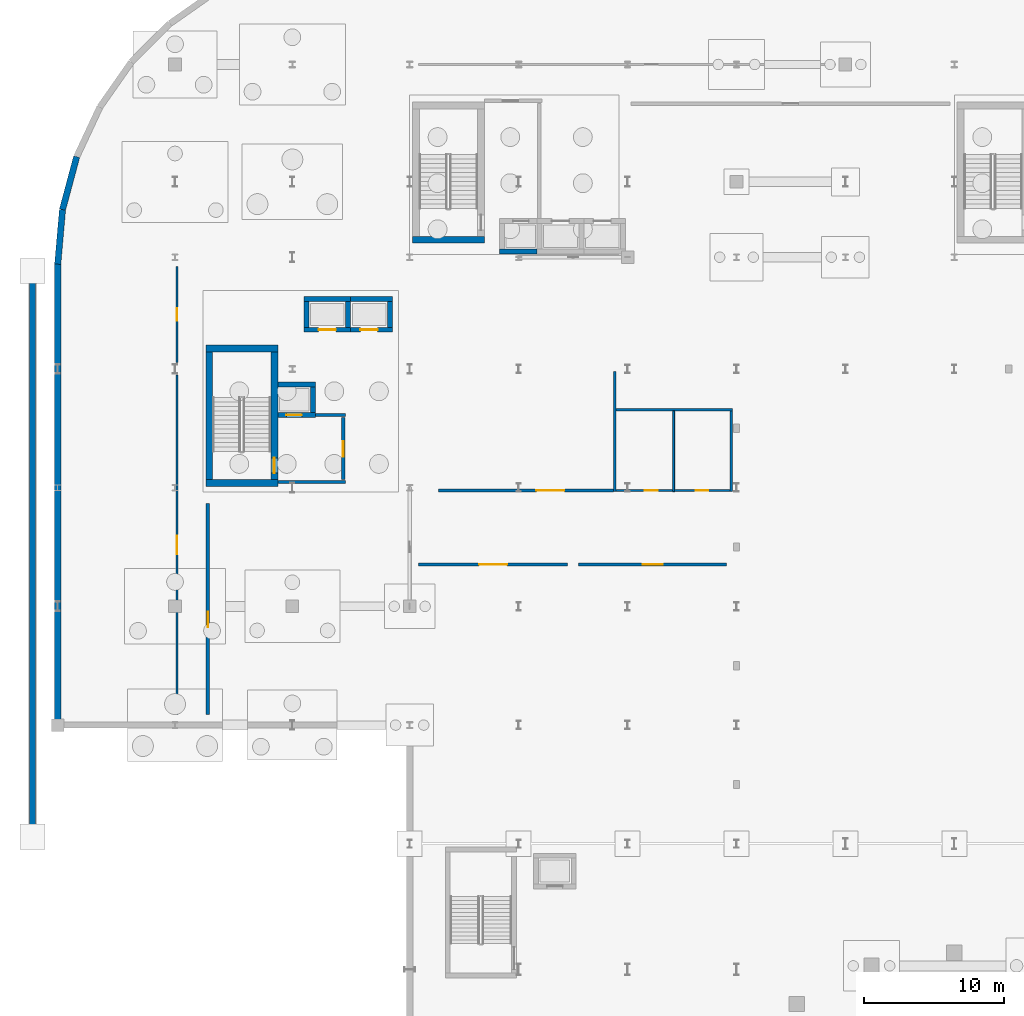
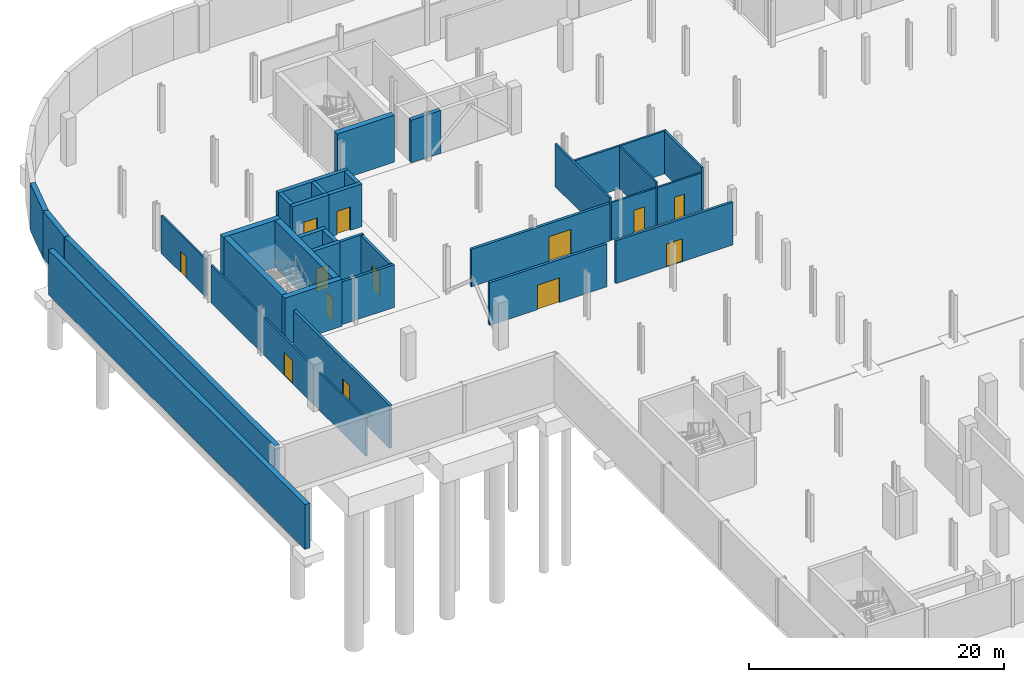
# One storey, part 26 of 45: 35 walls, 13 doors, 13 openings.
"""IFC4 building model written with IfcOpenShell, lengths in metres."""

import ifcopenshell
import ifcopenshell.guid

model = None  # the IFC model being written
_history = None  # IfcOwnerHistory: only IFC2X3 demands one
_inside = {}  # id of a spatial element -> (the spatial element, [elements in it])
_under = {}  # id of a project, library or spatial element -> (it, [spatial elements below it])
_declared = {}  # id of a project -> (the project, [libraries it declares])
_typed = {}  # id of a type object -> (the type object, [elements of that type])
_made_of = {}  # id of a material, layer set ... -> (it, [elements and type objects made of it])


def new_model(schema):
    """Start an empty IFC model of exactly this schema.

    Asked for "IFC4X3", IfcOpenShell would pick the latest addendum, in which some entities
    have other attributes; the version numbers below select the first issue.
    IFC2X3 requires an IfcOwnerHistory on every rooted entity: one is made here for all.
    """
    global model, _history
    if schema == "IFC4X3":
        model = ifcopenshell.file(schema_version=(4, 3, 0, 0))
    else:
        model = ifcopenshell.file(schema=schema)
    _inside.clear()
    _under.clear()
    _declared.clear()
    _typed.clear()
    _made_of.clear()
    _history = None
    if model.schema == "IFC2X3":
        org = make("IfcOrganization", Name="unknown")
        user = make(
            "IfcPersonAndOrganization",
            ThePerson=make("IfcPerson", FamilyName="unknown"),
            TheOrganization=org,
        )
        app = make(
            "IfcApplication",
            ApplicationDeveloper=org,
            Version="unknown",
            ApplicationFullName="unknown",
            ApplicationIdentifier="unknown",
        )
        _history = make(
            "IfcOwnerHistory",
            OwningUser=user,
            OwningApplication=app,
            ChangeAction="ADDED",
            CreationDate=0,
        )
    return model


def make(cls, **values):
    """One entity of the class cls with the attributes given. An attribute that is None is left unset."""
    return model.create_entity(
        cls, **{name: value for name, value in values.items() if value is not None}
    )


def rooted(cls, **values):
    """An entity with a GlobalId (a new one), such as an element, a storey or a relation."""
    return make(cls, GlobalId=ifcopenshell.guid.new(), OwnerHistory=_history, **values)


def si_unit(unit_type, name, prefix=None):
    """IfcSIUnit, for example si_unit("LENGTHUNIT", "METRE", prefix="MILLI")."""
    return make("IfcSIUnit", UnitType=unit_type, Prefix=prefix, Name=name)


def assignment(units):
    """IfcUnitAssignment: the units of a project."""
    return None if units is None else make("IfcUnitAssignment", Units=units)


def point(xyz):
    """IfcCartesianPoint."""
    return None if xyz is None else make("IfcCartesianPoint", Coordinates=xyz)


def direction(xyz):
    """IfcDirection."""
    return None if xyz is None else make("IfcDirection", DirectionRatios=xyz)


def frame(location, z_axis=None, x_axis=None):
    """IfcAxis2Placement3D, a coordinate frame: its origin and axes. An axis left out is left unset."""
    return make(
        "IfcAxis2Placement3D",
        Location=point(location),
        Axis=direction(z_axis),
        RefDirection=direction(x_axis),
    )


def frame_2d(location, x_axis=None):
    """IfcAxis2Placement2D, a coordinate frame in the plane: its origin and x axis."""
    return make(
        "IfcAxis2Placement2D", Location=point(location), RefDirection=direction(x_axis)
    )


def origin():
    """The frame at (0, 0, 0) with its axes left unset."""
    return frame((0.0, 0.0, 0.0))


def place(relative_to, where):
    """IfcLocalPlacement: puts the frame where relative to a parent placement (None: the world)."""
    return make(
        "IfcLocalPlacement", PlacementRelTo=relative_to, RelativePlacement=where
    )


def context(
    kind, dimensions, precision=None, world=None, true_north=None, identifier=None
):
    """IfcGeometricRepresentationContext, for example the 3D "Model" context."""
    return make(
        "IfcGeometricRepresentationContext",
        ContextIdentifier=identifier,
        ContextType=kind,
        CoordinateSpaceDimension=dimensions,
        Precision=precision,
        WorldCoordinateSystem=world,
        TrueNorth=true_north,
    )


def subcontext(parent, identifier, kind, view, scale=None):
    """IfcGeometricRepresentationSubContext, for example "Body" below "Model"."""
    return make(
        "IfcGeometricRepresentationSubContext",
        ContextIdentifier=identifier,
        ContextType=kind,
        ParentContext=parent,
        TargetScale=scale,
        TargetView=view,
    )


def project(units=None, contexts=None):
    """IfcProject with its units and contexts."""
    return rooted(
        "IfcProject",
        Name="project",
        RepresentationContexts=contexts,
        UnitsInContext=assignment(units),
    )


def spatial(cls, under=None, at=None, **own):
    """A site, building, storey or space (cls), placed at a placement, below another one or the project."""
    s = rooted(cls, ObjectPlacement=at, **own)
    if under is not None:
        _under.setdefault(under.id(), (under, []))[1].append(s)
    return s


def profile(cls, at=None, kind="AREA", **sizes):
    """A parametric profile (cls). Its sizes go by their IFC names, for example OverallWidth=200.0."""
    return make(cls, ProfileType=kind, Position=at, **sizes)


def rectangle(**sizes):
    """IfcRectangleProfileDef."""
    return profile("IfcRectangleProfileDef", **sizes)


def extrude(swept, where, along, depth):
    """IfcExtrudedAreaSolid: the profile swept, set in the frame where, extruded along a direction by depth."""
    return make(
        "IfcExtrudedAreaSolid",
        SweptArea=swept,
        Position=where,
        ExtrudedDirection=direction(along),
        Depth=depth,
    )


def shape(context_of_items, identifier, shape_type, items):
    """IfcShapeRepresentation: the items that make up one representation, for example the "Body"."""
    return make(
        "IfcShapeRepresentation",
        ContextOfItems=context_of_items,
        RepresentationIdentifier=identifier,
        RepresentationType=shape_type,
        Items=items,
    )


def material(Name=None, Category=None):
    """IfcMaterial."""
    return make("IfcMaterial", Name=Name, Category=Category)


def layer(
    of_material, thickness, ventilated=None, Name=None, Category=None, Priority=None
):
    """IfcMaterialLayer: one layer of a wall or slab, of a material (None: an air gap)."""
    return make(
        "IfcMaterialLayer",
        Material=of_material,
        LayerThickness=thickness,
        IsVentilated=ventilated,
        Name=Name,
        Category=Category,
        Priority=Priority,
    )


def layer_set(layers, Name=None):
    """IfcMaterialLayerSet."""
    return make("IfcMaterialLayerSet", MaterialLayers=layers, LayerSetName=Name)


def made_of(thing, what):
    """Note that an element or type object is made of a material, layer set ...; save() writes the relation."""
    if what is not None:
        _made_of.setdefault(what.id(), (what, []))[1].append(thing)
    return thing


def type_object(cls, material=None, **own):
    """A type object (cls), such as IfcWallType, which elements share."""
    return made_of(rooted(cls, **own), material)


def element(
    cls,
    number,
    at=None,
    inside=None,
    cuts=None,
    type_object=None,
    material=None,
    context=None,
    identifier="Body",
    shape_type=None,
    held_by="IfcProductDefinitionShape",
    body=None,
    shapes=None,
    **own,
):
    """One element of the class cls, such as IfcWall. Its Tag is "e" and its number.

    at: its placement. inside: the storey or other place that contains it. cuts: it is an
    opening in that element (IfcRelVoidsElement). A single representation is given by context,
    identifier, shape_type and body (its items); several are given by shapes. held_by: the class
    of the entity that holds the representations. save() writes the other relations.
    """
    e = rooted(cls, Tag="e%d" % number, ObjectPlacement=at, **own)
    if body is not None:
        shapes = [shape(context, identifier, shape_type, body)]
    if shapes is not None:
        e.Representation = make(held_by, Representations=shapes)
    if inside is not None:
        _inside.setdefault(inside.id(), (inside, []))[1].append(e)
    if cuts is not None:
        rooted(
            "IfcRelVoidsElement", RelatingBuildingElement=cuts, RelatedOpeningElement=e
        )
    if type_object is not None:
        _typed.setdefault(type_object.id(), (type_object, []))[1].append(e)
    return made_of(e, material)


def fill(opening, filler):
    """IfcRelFillsElement: the door or window that sits in an opening."""
    return rooted(
        "IfcRelFillsElement",
        RelatingOpeningElement=opening,
        RelatedBuildingElement=filler,
    )


def aggregate(whole, parts):
    """IfcRelAggregates: a whole, such as a stair, and the parts it consists of."""
    return rooted("IfcRelAggregates", RelatingObject=whole, RelatedObjects=parts)


def save(model, path):
    """Write the relations noted so far, then the file.

    IfcRelAggregates (storeys below a building ...), IfcRelContainedInSpatialStructure (elements
    in a storey), IfcRelDefinesByType, IfcRelAssociatesMaterial and IfcRelDeclares: one each for
    every whole, place, type object, material and project.
    """
    for whole, parts in _under.values():
        aggregate(whole, parts)
    for where, things in _inside.values():
        rooted(
            "IfcRelContainedInSpatialStructure",
            RelatedElements=things,
            RelatingStructure=where,
        )
    for kind, things in _typed.values():
        rooted("IfcRelDefinesByType", RelatedObjects=things, RelatingType=kind)
    for what, things in _made_of.values():
        rooted("IfcRelAssociatesMaterial", RelatedObjects=things, RelatingMaterial=what)
    for by, libraries in _declared.values():
        rooted("IfcRelDeclares", RelatingContext=by, RelatedDefinitions=libraries)
    model.write(path)


model = new_model("IFC4")

# Units and contexts
model_context = context("Model", 3, precision=1e-05, world=origin(), true_north=direction((0.0, 1.0)))
body_context = subcontext(model_context, "Body", "Model", "MODEL_VIEW")
ifc_project = project(units=[si_unit("LENGTHUNIT", "METRE"), si_unit("AREAUNIT", "SQUARE_METRE"), si_unit("VOLUMEUNIT", "CUBIC_METRE"), si_unit("PLANEANGLEUNIT", "RADIAN"), si_unit("MASSUNIT", "GRAM", prefix="KILO")], contexts=[model_context])

# Site, building, storey
site_placement = place(None, origin())
site = spatial("IfcSite", under=ifc_project, at=site_placement, CompositionType="ELEMENT")
building_placement = place(site_placement, origin())
building = spatial("IfcBuilding", under=site, at=building_placement, Name="Sefraquen Railside Congress Hotel", CompositionType="ELEMENT")
storey_placement = place(building_placement, frame((0.0, 0.0, -4.5)))
storey = spatial("IfcBuildingStorey", under=building, at=storey_placement, Name="B01", CompositionType="ELEMENT", Elevation=-4.5)

# Wall, opening, door
ifc_material_1 = material(Name="Acoustic double stud and gypsum board", Category="gypsum")
ifc_layer_1 = layer(ifc_material_1, 0.219970703125)
ifc_layer_set_1 = layer_set([ifc_layer_1], Name="Acoustic double stud and gypsum board")
wall_type_1 = type_object("IfcWallType", Name="TW-AW-220", PredefinedType="PARTITIONING", material=ifc_layer_set_1)
wall_1_placement = place(storey_placement, frame((37.300048828125, 74.0, 0.0), z_axis=(0.0, 0.0, 1.0), x_axis=(1.0, 0.0, 0.0)))
wall_1 = element("IfcWall", 1, at=wall_1_placement, inside=storey, type_object=wall_type_1, Name="Exhibition Marshalling and Loading Dock enclosure wall", PredefinedType="PARTITIONING", context=body_context, shape_type="SweptSolid", body=[
    extrude(rectangle(XDim=10.599853515625, YDim=0.219970703125, at=frame_2d((5.2998046875, 0.0))), origin(), (0.0, 0.0, 1.0), 4.10009765625),
])
opening_1_placement = place(wall_1_placement, frame((4.574951171875, 0.0, 0.0)))
opening_1 = element("IfcOpeningElement", 2, at=opening_1_placement, cuts=wall_1, Name="Opening SD-01", PredefinedType="OPENING", context=body_context, shape_type="SweptSolid", body=[
    extrude(rectangle(XDim=1.449951171875, YDim=2.199951171875, at=frame_2d((0.72509765625, 1.10009765625))), frame((0.0, 0.119873046875, 0.0), z_axis=(0.0, -1.0, 0.0), x_axis=(1.0, 0.0, 0.0)), (0.0, 0.0, 1.0), 0.239990234375),
])
ifc_material_2 = material(Name="Bronze and frosted glass", Category="glass")
door_type_1 = type_object("IfcDoorType", Name="TD-SD-01", OperationType="NOTDEFINED", PredefinedType="DOOR", material=ifc_material_2)
door_1_placement = place(opening_1_placement, origin())
door_1 = element("IfcDoor", 3, at=door_1_placement, inside=storey, type_object=door_type_1, Name="Exhibition Marshalling and Loading Dock entrance door", OperationType="DOUBLE_SWING_LEFT", OverallHeight=2.199951171875, OverallWidth=1.449951171875, PredefinedType="DOOR", context=body_context, shape_type="SweptSolid", body=[
    extrude(rectangle(XDim=1.449951171875, YDim=2.199951171875, at=frame_2d((0.72509765625, 1.10009765625))), frame((0.0, 0.02490234375, 0.0), z_axis=(0.0, -1.0, 0.0), x_axis=(1.0, 0.0, 0.0)), (0.0, 0.0, 1.0), 0.050048828125),
])
fill(opening_1, door_1)

# Wall
ifc_material_3 = material(Name="Concrete C50/60", Category="concrete")
ifc_layer_2 = layer(ifc_material_3, 0.35009765625)
ifc_layer_set_2 = layer_set([ifc_layer_2], Name="Concrete C50/60")
wall_type_2 = type_object("IfcWallType", Name="TW-CW-350", PredefinedType="SHEAR", material=ifc_layer_set_2)
wall_2_placement = place(storey_placement, frame((15.760009765625, 86.89501953125, 0.0), z_axis=(0.0, 0.0, 1.0), x_axis=(1.0, 0.0, 0.0)))
element("IfcWall", 4, at=wall_2_placement, inside=storey, type_object=wall_type_2, Name="Lift FL-01 shaft wall N B01", PredefinedType="SHEAR", context=body_context, shape_type="SweptSolid", body=[
    extrude(rectangle(XDim=2.68994140625, YDim=0.35009765625, at=frame_2d((1.344970703125, 0.0))), origin(), (0.0, 0.0, 1.0), 4.10009765625),
])

# Wall, opening, door
wall_3_placement = place(storey_placement, frame((15.760009765625, 84.705078125, 0.0), z_axis=(0.0, 0.0, 1.0), x_axis=(1.0, 0.0, 0.0)))
wall_3 = element("IfcWall", 5, at=wall_3_placement, inside=storey, type_object=wall_type_2, Name="Lift FL-01 shaft wall S B01", PredefinedType="SHEAR", context=body_context, shape_type="SweptSolid", body=[
    extrude(rectangle(XDim=2.68994140625, YDim=0.35009765625, at=frame_2d((1.344970703125, 0.0))), origin(), (0.0, 0.0, 1.0), 4.10009765625),
])
opening_2_placement = place(wall_3_placement, frame((0.6201171875, 0.0, 0.0)))
opening_2 = element("IfcOpeningElement", 6, at=opening_2_placement, cuts=wall_3, Name="Opening LD-01", PredefinedType="OPENING", context=body_context, shape_type="SweptSolid", body=[
    extrude(rectangle(XDim=1.10009765625, YDim=2.199951171875, at=frame_2d((0.550048828125, 1.10009765625))), frame((0.0, 0.18505859375, 0.0), z_axis=(0.0, -1.0, 0.0), x_axis=(1.0, 0.0, 0.0)), (0.0, 0.0, 1.0), 0.3701171875),
])
ifc_material_4 = material(Name="Brushed bronze stainless steel", Category="steel")
door_type_2 = type_object("IfcDoorType", Name="TD-LD-01", OperationType="NOTDEFINED", PredefinedType="DOOR", material=ifc_material_4)
door_2_placement = place(opening_2_placement, origin())
door_2 = element("IfcDoor", 7, at=door_2_placement, inside=storey, type_object=door_type_2, Name="Lift landing door FL-01 B01", OperationType="SLIDING_TO_LEFT", OverallHeight=2.199951171875, OverallWidth=1.10009765625, PredefinedType="DOOR", context=body_context, shape_type="SweptSolid", body=[
    extrude(rectangle(XDim=1.10009765625, YDim=2.199951171875, at=frame_2d((0.550048828125, 1.10009765625))), frame((0.0, 0.02490234375, 0.0), z_axis=(0.0, -1.0, 0.0), x_axis=(1.0, 0.0, 0.0)), (0.0, 0.0, 1.0), 0.050048828125),
])
fill(opening_2, door_2)

# Walls
wall_4_placement = place(storey_placement, frame((18.27490234375, 84.8798828125, 0.0), z_axis=(0.0, 0.0, 1.0), x_axis=(0.0, 1.0, 0.0)))
element("IfcWall", 8, at=wall_4_placement, inside=storey, type_object=wall_type_2, Name="Lift FL-01 shaft wall E B01", PredefinedType="SHEAR", context=body_context, shape_type="SweptSolid", body=[
    extrude(rectangle(XDim=1.840087890625, YDim=0.35009765625, at=frame_2d((0.919921875, 0.0))), origin(), (0.0, 0.0, 1.0), 4.10009765625),
])
wall_5_placement = place(storey_placement, frame((31.639892578125, 96.405029296875, 0.0), z_axis=(0.0, 0.0, 1.0), x_axis=(1.0, 0.0, 0.0)))
element("IfcWall", 9, at=wall_5_placement, inside=storey, type_object=wall_type_2, Name="Lift FL-02 shaft wall S B01", PredefinedType="SHEAR", context=body_context, shape_type="SweptSolid", body=[
    extrude(rectangle(XDim=2.690185546875, YDim=0.35009765625, at=frame_2d((1.34521484375, 0.0))), origin(), (0.0, 0.0, 1.0), 4.10009765625),
])
wall_6_placement = place(storey_placement, frame((17.6298828125, 92.9951171875, 0.0), z_axis=(0.0, 0.0, 1.0), x_axis=(1.0, 0.0, 0.0)))
element("IfcWall", 10, at=wall_6_placement, inside=storey, type_object=wall_type_2, Name="Lift PL-01 shaft wall N B01", PredefinedType="SHEAR", context=body_context, shape_type="SweptSolid", body=[
    extrude(rectangle(XDim=3.340087890625, YDim=0.35009765625, at=frame_2d((1.669921875, 0.0))), origin(), (0.0, 0.0, 1.0), 4.10009765625),
])

# Wall, opening, door
wall_7_placement = place(storey_placement, frame((17.6298828125, 90.804931640625, 0.0), z_axis=(0.0, 0.0, 1.0), x_axis=(1.0, 0.0, 0.0)))
wall_7 = element("IfcWall", 11, at=wall_7_placement, inside=storey, type_object=wall_type_2, Name="Lift PL-01 shaft wall S B01", PredefinedType="SHEAR", context=body_context, shape_type="SweptSolid", body=[
    extrude(rectangle(XDim=3.340087890625, YDim=0.35009765625, at=frame_2d((1.669921875, 0.0))), origin(), (0.0, 0.0, 1.0), 4.10009765625),
])
opening_3_placement = place(wall_7_placement, frame((1.044921875, 0.0, 0.0)))
opening_3 = element("IfcOpeningElement", 12, at=opening_3_placement, cuts=wall_7, Name="Opening LD-02", PredefinedType="OPENING", context=body_context, shape_type="SweptSolid", body=[
    extrude(rectangle(XDim=1.25, YDim=2.25, at=frame_2d((0.625, 1.125))), frame((0.0, 0.18505859375, 0.0), z_axis=(0.0, -1.0, 0.0), x_axis=(1.0, 0.0, 0.0)), (0.0, 0.0, 1.0), 0.3701171875),
])
ifc_material_5 = material(Name="Brushed stainless steel", Category="steel")
door_type_3 = type_object("IfcDoorType", Name="TD-LD-02", OperationType="NOTDEFINED", PredefinedType="DOOR", material=ifc_material_5)
door_3_placement = place(opening_3_placement, origin())
door_3 = element("IfcDoor", 13, at=door_3_placement, inside=storey, type_object=door_type_3, Name="Lift landing door PL-01 B01", OperationType="SLIDING_TO_LEFT", OverallHeight=2.25, OverallWidth=1.25, PredefinedType="DOOR", context=body_context, shape_type="SweptSolid", body=[
    extrude(rectangle(XDim=1.25, YDim=2.25, at=frame_2d((0.625, 1.125))), frame((0.0, 0.02490234375, 0.0), z_axis=(0.0, -1.0, 0.0), x_axis=(1.0, 0.0, 0.0)), (0.0, 0.0, 1.0), 0.050048828125),
])
fill(opening_3, door_3)

# Walls
for number, where, z_axis, x_axis, name in (
    (14, (17.804931640625, 90.97998046875, 0.0), (0.0, 0.0, 1.0), (0.0, 1.0, 0.0), "Lift PL-01 shaft wall W B01"),
    (15, (20.794921875, 90.97998046875, 0.0), (0.0, 0.0, 1.0), (0.0, 1.0, 0.0), "Lift PL-01 shaft wall E B01"),
):
    element("IfcWall", number, at=place(storey_placement, frame(where, z_axis=z_axis, x_axis=x_axis)), inside=storey, type_object=wall_type_2, Name=name, PredefinedType="SHEAR", context=body_context, shape_type="SweptSolid", body=[
        extrude(rectangle(XDim=1.840087890625, YDim=0.35009765625, at=frame_2d((0.919921875, 0.0))), origin(), (0.0, 0.0, 1.0), 4.10009765625),
    ])
wall_8_placement = place(storey_placement, frame((20.969970703125, 92.9951171875, 0.0), z_axis=(0.0, 0.0, 1.0), x_axis=(1.0, 0.0, 0.0)))
element("IfcWall", 16, at=wall_8_placement, inside=storey, type_object=wall_type_2, Name="Lift PL-02 shaft wall N B01", PredefinedType="SHEAR", context=body_context, shape_type="SweptSolid", body=[
    extrude(rectangle(XDim=2.989990234375, YDim=0.35009765625, at=frame_2d((1.4951171875, 0.0))), origin(), (0.0, 0.0, 1.0), 4.10009765625),
])

# Wall, opening, door
wall_9_placement = place(storey_placement, frame((20.969970703125, 90.804931640625, 0.0), z_axis=(0.0, 0.0, 1.0), x_axis=(1.0, 0.0, 0.0)))
wall_9 = element("IfcWall", 17, at=wall_9_placement, inside=storey, type_object=wall_type_2, Name="Lift PL-02 shaft wall S B01", PredefinedType="SHEAR", context=body_context, shape_type="SweptSolid", body=[
    extrude(rectangle(XDim=2.989990234375, YDim=0.35009765625, at=frame_2d((1.4951171875, 0.0))), origin(), (0.0, 0.0, 1.0), 4.10009765625),
])
opening_4_placement = place(wall_9_placement, frame((0.695068359375, 0.0, 0.0)))
opening_4 = element("IfcOpeningElement", 18, at=opening_4_placement, cuts=wall_9, Name="Opening LD-02", PredefinedType="OPENING", context=body_context, shape_type="SweptSolid", body=[
    extrude(rectangle(XDim=1.25, YDim=2.25, at=frame_2d((0.625, 1.125))), frame((0.0, 0.18505859375, 0.0), z_axis=(0.0, -1.0, 0.0), x_axis=(1.0, 0.0, 0.0)), (0.0, 0.0, 1.0), 0.3701171875),
])
door_4_placement = place(opening_4_placement, origin())
door_4 = element("IfcDoor", 19, at=door_4_placement, inside=storey, type_object=door_type_3, Name="Lift landing door PL-02 B01", OperationType="SLIDING_TO_LEFT", OverallHeight=2.25, OverallWidth=1.25, PredefinedType="DOOR", context=body_context, shape_type="SweptSolid", body=[
    extrude(rectangle(XDim=1.25, YDim=2.25, at=frame_2d((0.625, 1.125))), frame((0.0, 0.02490234375, 0.0), z_axis=(0.0, -1.0, 0.0), x_axis=(1.0, 0.0, 0.0)), (0.0, 0.0, 1.0), 0.050048828125),
])
fill(opening_4, door_4)

# Walls
wall_10_placement = place(storey_placement, frame((23.784912109375, 90.97998046875, 0.0), z_axis=(0.0, 0.0, 1.0), x_axis=(0.0, 1.0, 0.0)))
element("IfcWall", 20, at=wall_10_placement, inside=storey, type_object=wall_type_2, Name="Lift PL-02 shaft wall E B01", PredefinedType="SHEAR", context=body_context, shape_type="SweptSolid", body=[
    extrude(rectangle(XDim=1.840087890625, YDim=0.35009765625, at=frame_2d((0.919921875, 0.0))), origin(), (0.0, 0.0, 1.0), 4.10009765625),
])
ifc_layer_3 = layer(ifc_material_3, 0.5)
ifc_layer_set_3 = layer_set([ifc_layer_3], Name="Concrete C50/60")
wall_type_3 = type_object("IfcWallType", Name="TW-CW-500", PredefinedType="SHEAR", material=ifc_layer_set_3)
for number, where, z_axis, x_axis, name in (
    (21, (10.60009765625, 89.4619140625, 0.0), (0.0, 0.0, 1.0), (1.0, 0.0, 0.0), "Core shear wall ST-H01 N B01"),
    (22, (10.60009765625, 79.85009765625, 0.0), (0.0, 0.0, 1.0), (1.0, 0.0, 0.0), "Core shear wall ST-H01 S B01"),
):
    element("IfcWall", number, at=place(storey_placement, frame(where, z_axis=z_axis, x_axis=x_axis)), inside=storey, type_object=wall_type_3, Name=name, PredefinedType="SHEAR", context=body_context, shape_type="SweptSolid", body=[
        extrude(rectangle(XDim=5.159912109375, YDim=0.5, at=frame_2d((2.580078125, 0.0))), origin(), (0.0, 0.0, 1.0), 4.5),
    ])
wall_11_placement = place(storey_placement, frame((10.85009765625, 80.10009765625, 0.0), z_axis=(0.0, 0.0, 1.0), x_axis=(0.0, 1.0, 0.0)))
element("IfcWall", 23, at=wall_11_placement, inside=storey, type_object=wall_type_3, Name="Core shear wall ST-H01 W B01", PredefinedType="SHEAR", context=body_context, shape_type="SweptSolid", body=[
    extrude(rectangle(XDim=9.11181640625, YDim=0.5, at=frame_2d((4.555908203125, 0.0))), origin(), (0.0, 0.0, 1.0), 4.5),
])

# Wall, opening, door
wall_12_placement = place(storey_placement, frame((15.510009765625, 80.10009765625, 0.0), z_axis=(0.0, 0.0, 1.0), x_axis=(0.0, 1.0, 0.0)))
wall_12 = element("IfcWall", 24, at=wall_12_placement, inside=storey, type_object=wall_type_3, Name="Core shear wall ST-H01 E B01", PredefinedType="SHEAR", context=body_context, shape_type="SweptSolid", body=[
    extrude(rectangle(XDim=9.11181640625, YDim=0.5, at=frame_2d((4.555908203125, 0.0))), origin(), (0.0, 0.0, 1.0), 4.5),
])
opening_5_placement = place(wall_12_placement, frame((0.43994140625, 0.0, 0.0)))
opening_5 = element("IfcOpeningElement", 25, at=opening_5_placement, cuts=wall_12, Name="Opening FD-04", PredefinedType="OPENING", context=body_context, shape_type="SweptSolid", body=[
    extrude(rectangle(XDim=1.10009765625, YDim=2.199951171875, at=frame_2d((0.550048828125, 1.10009765625))), frame((0.0, 0.260009765625, 0.0), z_axis=(0.0, -1.0, 0.0), x_axis=(1.0, 0.0, 0.0)), (0.0, 0.0, 1.0), 0.52001953125),
])
ifc_material_6 = material(Name="Fire-rated steel", Category="steel")
door_type_4 = type_object("IfcDoorType", Name="TD-FD-04", OperationType="NOTDEFINED", PredefinedType="DOOR", material=ifc_material_6)
door_5_placement = place(opening_5_placement, origin())
door_5 = element("IfcDoor", 26, at=door_5_placement, inside=storey, type_object=door_type_4, Name="Pressurized stair ST-H01 fire door B01", OperationType="SINGLE_SWING_LEFT", OverallHeight=2.199951171875, OverallWidth=1.10009765625, PredefinedType="DOOR", context=body_context, shape_type="SweptSolid", body=[
    extrude(rectangle(XDim=1.10009765625, YDim=2.199951171875, at=frame_2d((0.550048828125, 1.10009765625))), frame((0.0, 0.02490234375, 0.0), z_axis=(0.0, -1.0, 0.0), x_axis=(1.0, 0.0, 0.0)), (0.0, 0.0, 1.0), 0.050048828125),
])
fill(opening_5, door_5)

# Walls
wall_13_placement = place(storey_placement, frame((25.39990234375, 97.25, 0.0), z_axis=(0.0, 0.0, 1.0), x_axis=(1.0, 0.0, 0.0)))
element("IfcWall", 27, at=wall_13_placement, inside=storey, type_object=wall_type_3, Name="Core shear wall ST-H02 S B01", PredefinedType="SHEAR", context=body_context, shape_type="SweptSolid", body=[
    extrude(rectangle(XDim=5.16015625, YDim=0.5, at=frame_2d((2.580078125, 0.0))), origin(), (0.0, 0.0, 1.0), 4.5),
])
ifc_material_7 = material(Name="Concrete C40/50", Category="concrete")
ifc_layer_4 = layer(ifc_material_7, 0.239990234375)
ifc_layer_set_4 = layer_set([ifc_layer_4], Name="Concrete C40/50")
wall_type_4 = type_object("IfcWallType", Name="TW-FW-240", PredefinedType="STANDARD", material=ifc_layer_set_4)
wall_14_placement = place(storey_placement, frame((15.760009765625, 79.89990234375, 0.0), z_axis=(0.0, 0.0, 1.0), x_axis=(1.0, 0.0, 0.0)))
element("IfcWall", 28, at=wall_14_placement, inside=storey, type_object=wall_type_4, Name="Firefighting Lift Lobby FFL-01 S fire wall B01", PredefinedType="STANDARD", context=body_context, shape_type="SweptSolid", body=[
    extrude(rectangle(XDim=4.860107421875, YDim=0.239990234375, at=frame_2d((2.43017578125, 0.0))), origin(), (0.0, 0.0, 1.0), 4.10009765625),
])
wall_15_placement = place(storey_placement, frame((18.449951171875, 84.705078125, 0.0), z_axis=(0.0, 0.0, 1.0), x_axis=(1.0, 0.0, 0.0)))
element("IfcWall", 29, at=wall_15_placement, inside=storey, type_object=wall_type_4, Name="Firefighting Lift Lobby FFL-01 N fire wall B01", PredefinedType="STANDARD", context=body_context, shape_type="SweptSolid", body=[
    extrude(rectangle(XDim=2.170166015625, YDim=0.239990234375, at=frame_2d((1.0849609375, 0.0))), origin(), (0.0, 0.0, 1.0), 4.10009765625),
])

# Wall, opening, door
wall_16_placement = place(storey_placement, frame((20.43994140625, 80.080078125, 0.0), z_axis=(0.0, 0.0, 1.0), x_axis=(0.0, 1.0, 0.0)))
wall_16 = element("IfcWall", 30, at=wall_16_placement, inside=storey, type_object=wall_type_4, Name="Firefighting Lift Lobby FFL-01 EI 120 separation wall B01", PredefinedType="STANDARD", context=body_context, shape_type="SweptSolid", body=[
    extrude(rectangle(XDim=4.449951171875, YDim=0.239990234375, at=frame_2d((2.22509765625, 0.0))), origin(), (0.0, 0.0, 1.0), 4.10009765625),
])
opening_6_placement = place(wall_16_placement, frame((1.64990234375, 0.0, 0.0)))
opening_6 = element("IfcOpeningElement", 31, at=opening_6_placement, cuts=wall_16, Name="Opening FD-04", PredefinedType="OPENING", context=body_context, shape_type="SweptSolid", body=[
    extrude(rectangle(XDim=1.10009765625, YDim=2.199951171875, at=frame_2d((0.550048828125, 1.10009765625))), frame((0.0, 0.1298828125, 0.0), z_axis=(0.0, -1.0, 0.0), x_axis=(1.0, 0.0, 0.0)), (0.0, 0.0, 1.0), 0.260009765625),
])
door_6_placement = place(opening_6_placement, origin())
door_6 = element("IfcDoor", 32, at=door_6_placement, inside=storey, type_object=door_type_4, Name="Firefighting Lift Lobby FFL-01 self-closing fire door B01", OperationType="SINGLE_SWING_LEFT", OverallHeight=2.199951171875, OverallWidth=1.10009765625, PredefinedType="DOOR", context=body_context, shape_type="SweptSolid", body=[
    extrude(rectangle(XDim=1.10009765625, YDim=2.199951171875, at=frame_2d((0.550048828125, 1.10009765625))), frame((0.0, 0.02490234375, 0.0), z_axis=(0.0, -1.0, 0.0), x_axis=(1.0, 0.0, 0.0)), (0.0, 0.0, 1.0), 0.050048828125),
])
fill(opening_6, door_6)

wall_17_placement = place(storey_placement, frame((25.85009765625, 74.0, 0.0), z_axis=(0.0, 0.0, 1.0), x_axis=(1.0, 0.0, 0.0)))
wall_17 = element("IfcWall", 33, at=wall_17_placement, inside=storey, type_object=wall_type_4, Name="Central Banquet Production Kitchen enclosure wall", PredefinedType="STANDARD", context=body_context, shape_type="SweptSolid", body=[
    extrude(rectangle(XDim=10.64990234375, YDim=0.239990234375, at=frame_2d((5.324951171875, 0.0))), origin(), (0.0, 0.0, 1.0), 4.10009765625),
])
opening_7_placement = place(wall_17_placement, frame((4.324951171875, 0.0, 0.0)))
opening_7 = element("IfcOpeningElement", 34, at=opening_7_placement, cuts=wall_17, Name="Opening AD-02", PredefinedType="OPENING", context=body_context, shape_type="SweptSolid", body=[
    extrude(rectangle(XDim=2.0, YDim=2.35009765625, at=frame_2d((1.0, 1.175048828125))), frame((0.0, 0.1298828125, 0.0), z_axis=(0.0, -1.0, 0.0), x_axis=(1.0, 0.0, 0.0)), (0.0, 0.0, 1.0), 0.260009765625),
])
ifc_material_8 = material(Name="Acoustic Atlas cedar timber", Category="wood")
door_type_5 = type_object("IfcDoorType", Name="TD-AD-02", OperationType="NOTDEFINED", PredefinedType="DOOR", material=ifc_material_8)
door_7_placement = place(opening_7_placement, origin())
door_7 = element("IfcDoor", 35, at=door_7_placement, inside=storey, type_object=door_type_5, Name="Central Banquet Production Kitchen entrance door", OperationType="DOUBLE_SWING_LEFT", OverallHeight=2.35009765625, OverallWidth=2.0, PredefinedType="DOOR", context=body_context, shape_type="SweptSolid", body=[
    extrude(rectangle(XDim=2.0, YDim=2.35009765625, at=frame_2d((1.0, 1.175048828125))), frame((0.0, 0.02490234375, 0.0), z_axis=(0.0, -1.0, 0.0), x_axis=(1.0, 0.0, 0.0)), (0.0, 0.0, 1.0), 0.050048828125),
])
fill(opening_7, door_7)

wall_18_placement = place(storey_placement, frame((27.25, 79.300048828125, 0.0), z_axis=(0.0, 0.0, 1.0), x_axis=(1.0, 0.0, 0.0)))
wall_18 = element("IfcWall", 36, at=wall_18_placement, inside=storey, type_object=wall_type_4, Name="Banquet Refrigerated Cold Store enclosure wall", PredefinedType="STANDARD", context=body_context, shape_type="SweptSolid", body=[
    extrude(rectangle(XDim=12.56005859375, YDim=0.239990234375, at=frame_2d((6.280029296875, 0.0))), origin(), (0.0, 0.0, 1.0), 3.590087890625),
])
opening_8_placement = place(wall_18_placement, frame((7.030029296875, 0.0, 0.0)))
opening_8 = element("IfcOpeningElement", 37, at=opening_8_placement, cuts=wall_18, Name="Opening AD-02", PredefinedType="OPENING", context=body_context, shape_type="SweptSolid", body=[
    extrude(rectangle(XDim=2.0, YDim=2.35009765625, at=frame_2d((1.0, 1.175048828125))), frame((0.0, 0.1298828125, 0.0), z_axis=(0.0, -1.0, 0.0), x_axis=(1.0, 0.0, 0.0)), (0.0, 0.0, 1.0), 0.260009765625),
])
door_8_placement = place(opening_8_placement, origin())
door_8 = element("IfcDoor", 38, at=door_8_placement, inside=storey, type_object=door_type_5, Name="Banquet Refrigerated Cold Store entrance door", OperationType="DOUBLE_SWING_LEFT", OverallHeight=2.35009765625, OverallWidth=2.0, PredefinedType="DOOR", context=body_context, shape_type="SweptSolid", body=[
    extrude(rectangle(XDim=2.0, YDim=2.35009765625, at=frame_2d((1.0, 1.175048828125))), frame((0.0, 0.02490234375, 0.0), z_axis=(0.0, -1.0, 0.0), x_axis=(1.0, 0.0, 0.0)), (0.0, 0.0, 1.0), 0.050048828125),
])
fill(opening_8, door_8)

wall_19_placement = place(storey_placement, frame((10.75, 63.25, 0.0), z_axis=(0.0, 0.0, 1.0), x_axis=(0.0, 1.0, 0.0)))
wall_19 = element("IfcWall", 39, at=wall_19_placement, inside=storey, type_object=wall_type_4, Name="Potable and Fire Water Reserve Tank Room enclosure wall", PredefinedType="STANDARD", context=body_context, shape_type="SweptSolid", body=[
    extrude(rectangle(XDim=15.10009765625, YDim=0.239990234375, at=frame_2d((7.550048828125, 0.0))), origin(), (0.0, 0.0, 1.0), 4.10009765625),
])
opening_9_placement = place(wall_19_placement, frame((6.25, 0.0, 0.0)))
opening_9 = element("IfcOpeningElement", 40, at=opening_9_placement, cuts=wall_19, Name="Opening FD-04", PredefinedType="OPENING", context=body_context, shape_type="SweptSolid", body=[
    extrude(rectangle(XDim=1.10009765625, YDim=2.199951171875, at=frame_2d((0.550048828125, 1.10009765625))), frame((0.0, 0.1298828125, 0.0), z_axis=(0.0, -1.0, 0.0), x_axis=(1.0, 0.0, 0.0)), (0.0, 0.0, 1.0), 0.260009765625),
])
door_9_placement = place(opening_9_placement, origin())
door_9 = element("IfcDoor", 41, at=door_9_placement, inside=storey, type_object=door_type_4, Name="Potable and Fire Water Reserve Tank Room entrance door", OperationType="SINGLE_SWING_LEFT", OverallHeight=2.199951171875, OverallWidth=1.10009765625, PredefinedType="DOOR", context=body_context, shape_type="SweptSolid", body=[
    extrude(rectangle(XDim=1.10009765625, YDim=2.199951171875, at=frame_2d((0.550048828125, 1.10009765625))), frame((0.0, 0.02490234375, 0.0), z_axis=(0.0, -1.0, 0.0), x_axis=(1.0, 0.0, 0.0)), (0.0, 0.0, 1.0), 0.050048828125),
])
fill(opening_9, door_9)

# Wall
ifc_material_9 = material(Name="Moisture-resistant gypsum board", Category="gypsum")
ifc_layer_5 = layer(ifc_material_9, 0.139892578125)
ifc_layer_set_5 = layer_set([ifc_layer_5], Name="Moisture-resistant gypsum board")
wall_type_5 = type_object("IfcWallType", Name="TW-PW-140", PredefinedType="PARTITIONING", material=ifc_layer_set_5)
wall_20_placement = place(storey_placement, frame((44.10009765625, 79.219970703125, 0.0), z_axis=(0.0, 0.0, 1.0), x_axis=(0.0, 1.0, 0.0)))
element("IfcWall", 42, at=wall_20_placement, inside=storey, type_object=wall_type_5, Name="Basement accessible and staff WC dividing partition", PredefinedType="PARTITIONING", context=body_context, shape_type="SweptSolid", body=[
    extrude(rectangle(XDim=5.780029296875, YDim=0.139892578125, at=frame_2d((2.89013671875, 0.0))), origin(), (0.0, 0.0, 1.0), 4.10009765625),
])

# Wall, opening, door
ifc_layer_6 = layer(ifc_material_9, 0.159912109375)
ifc_layer_set_6 = layer_set([ifc_layer_6], Name="Moisture-resistant gypsum board")
wall_type_6 = type_object("IfcWallType", Name="TW-PW-160", PredefinedType="PARTITIONING", material=ifc_layer_set_6)
wall_21_placement = place(storey_placement, frame((8.550048828125, 63.25, 0.0), z_axis=(0.0, 0.0, 1.0), x_axis=(0.0, 1.0, 0.0)))
wall_21 = element("IfcWall", 43, at=wall_21_placement, inside=storey, type_object=wall_type_6, Name="Hotel Central Linen Laundry enclosure wall", PredefinedType="PARTITIONING", context=body_context, shape_type="SweptSolid", body=[
    extrude(rectangle(XDim=24.300048828125, YDim=0.159912109375, at=frame_2d((12.14990234375, 0.0))), origin(), (0.0, 0.0, 1.0), 3.60009765625),
])
opening_10_placement = place(wall_21_placement, frame((11.5, 0.0, 0.0)))
opening_10 = element("IfcOpeningElement", 44, at=opening_10_placement, cuts=wall_21, Name="Opening MD-02", PredefinedType="OPENING", context=body_context, shape_type="SweptSolid", body=[
    extrude(rectangle(XDim=1.300048828125, YDim=2.199951171875, at=frame_2d((0.64990234375, 1.10009765625))), frame((0.0, 0.08984375, 0.0), z_axis=(0.0, -1.0, 0.0), x_axis=(1.0, 0.0, 0.0)), (0.0, 0.0, 1.0), 0.179931640625),
])
ifc_material_10 = material(Name="Acoustic cedar veneer", Category="wood")
door_type_6 = type_object("IfcDoorType", Name="TD-MD-02", OperationType="NOTDEFINED", PredefinedType="DOOR", material=ifc_material_10)
door_10_placement = place(opening_10_placement, origin())
door_10 = element("IfcDoor", 45, at=door_10_placement, inside=storey, type_object=door_type_6, Name="Hotel Central Linen Laundry entrance door", OperationType="SINGLE_SWING_LEFT", OverallHeight=2.199951171875, OverallWidth=1.300048828125, PredefinedType="DOOR", context=body_context, shape_type="SweptSolid", body=[
    extrude(rectangle(XDim=1.300048828125, YDim=2.199951171875, at=frame_2d((0.64990234375, 1.10009765625))), frame((0.0, 0.02490234375, 0.0), z_axis=(0.0, -1.0, 0.0), x_axis=(1.0, 0.0, 0.0)), (0.0, 0.0, 1.0), 0.050048828125),
])
fill(opening_10, door_10)

wall_22_placement = place(storey_placement, frame((8.550048828125, 88.449951171875, 0.0), z_axis=(0.0, 0.0, 1.0), x_axis=(0.0, 1.0, 0.0)))
wall_22 = element("IfcWall", 46, at=wall_22_placement, inside=storey, type_object=wall_type_6, Name="Housekeeping Uniform and Linen Store enclosure wall", PredefinedType="PARTITIONING", context=body_context, shape_type="SweptSolid", body=[
    extrude(rectangle(XDim=6.900146484375, YDim=0.159912109375, at=frame_2d((3.4501953125, 0.0))), origin(), (0.0, 0.0, 1.0), 3.639892578125),
])
opening_11_placement = place(wall_22_placement, frame((3.0, 0.0, 0.0)))
opening_11 = element("IfcOpeningElement", 47, at=opening_11_placement, cuts=wall_22, Name="Opening ID-06", PredefinedType="OPENING", context=body_context, shape_type="SweptSolid", body=[
    extrude(rectangle(XDim=0.89990234375, YDim=2.0400390625, at=frame_2d((0.449951171875, 1.02001953125))), frame((0.0, 0.08984375, 0.0), z_axis=(0.0, -1.0, 0.0), x_axis=(1.0, 0.0, 0.0)), (0.0, 0.0, 1.0), 0.179931640625),
])
ifc_material_11 = material(Name="Painted steel", Category="steel")
door_type_7 = type_object("IfcDoorType", Name="TD-ID-06", OperationType="NOTDEFINED", PredefinedType="DOOR", material=ifc_material_11)
door_11_placement = place(opening_11_placement, origin())
door_11 = element("IfcDoor", 48, at=door_11_placement, inside=storey, type_object=door_type_7, Name="Housekeeping Uniform and Linen Store entrance door", OperationType="SINGLE_SWING_LEFT", OverallHeight=2.0400390625, OverallWidth=0.89990234375, PredefinedType="DOOR", context=body_context, shape_type="SweptSolid", body=[
    extrude(rectangle(XDim=0.89990234375, YDim=2.0400390625, at=frame_2d((0.449951171875, 1.02001953125))), frame((0.0, 0.02490234375, 0.0), z_axis=(0.0, -1.0, 0.0), x_axis=(1.0, 0.0, 0.0)), (0.0, 0.0, 1.0), 0.050048828125),
])
fill(opening_11, door_11)

wall_23_placement = place(storey_placement, frame((39.989990234375, 79.300048828125, 0.0), z_axis=(0.0, 0.0, 1.0), x_axis=(1.0, 0.0, 0.0)))
wall_23 = element("IfcWall", 49, at=wall_23_placement, inside=storey, type_object=wall_type_6, Name="Basement Public Accessible WC enclosure wall", PredefinedType="PARTITIONING", context=body_context, shape_type="SweptSolid", body=[
    extrude(rectangle(XDim=4.0400390625, YDim=0.159912109375, at=frame_2d((2.02001953125, 0.0))), origin(), (0.0, 0.0, 1.0), 3.590087890625),
])
opening_12_placement = place(wall_23_placement, frame((2.050048828125, 0.0, 0.0)))
opening_12 = element("IfcOpeningElement", 50, at=opening_12_placement, cuts=wall_23, Name="Opening ID-01", PredefinedType="OPENING", context=body_context, shape_type="SweptSolid", body=[
    extrude(rectangle(XDim=0.93994140625, YDim=2.14990234375, at=frame_2d((0.469970703125, 1.074951171875))), frame((0.0, 0.08984375, 0.0), z_axis=(0.0, -1.0, 0.0), x_axis=(1.0, 0.0, 0.0)), (0.0, 0.0, 1.0), 0.179931640625),
])
ifc_material_12 = material(Name="Lacquered cedar joinery", Category="wood")
door_type_8 = type_object("IfcDoorType", Name="TD-ID-01", OperationType="NOTDEFINED", PredefinedType="DOOR", material=ifc_material_12)
door_12_placement = place(opening_12_placement, origin())
door_12 = element("IfcDoor", 51, at=door_12_placement, inside=storey, type_object=door_type_8, Name="Basement Public Accessible WC entrance door", OperationType="SINGLE_SWING_LEFT", OverallHeight=2.14990234375, OverallWidth=0.93994140625, PredefinedType="DOOR", context=body_context, shape_type="SweptSolid", body=[
    extrude(rectangle(XDim=0.93994140625, YDim=2.14990234375, at=frame_2d((0.469970703125, 1.074951171875))), frame((0.0, 0.02490234375, 0.0), z_axis=(0.0, -1.0, 0.0), x_axis=(1.0, 0.0, 0.0)), (0.0, 0.0, 1.0), 0.050048828125),
])
fill(opening_12, door_12)

wall_24_placement = place(storey_placement, frame((44.169921875, 79.300048828125, 0.0), z_axis=(0.0, 0.0, 1.0), x_axis=(1.0, 0.0, 0.0)))
wall_24 = element("IfcWall", 52, at=wall_24_placement, inside=storey, type_object=wall_type_6, Name="Basement Staff WC and Shower Room enclosure wall", PredefinedType="PARTITIONING", context=body_context, shape_type="SweptSolid", body=[
    extrude(rectangle(XDim=3.9501953125, YDim=0.159912109375, at=frame_2d((1.97509765625, 0.0))), origin(), (0.0, 0.0, 1.0), 3.590087890625),
])
opening_13_placement = place(wall_24_placement, frame((1.52490234375, 0.0, 0.0)))
opening_13 = element("IfcOpeningElement", 53, at=opening_13_placement, cuts=wall_24, Name="Opening ID-02", PredefinedType="OPENING", context=body_context, shape_type="SweptSolid", body=[
    extrude(rectangle(XDim=0.89990234375, YDim=2.10009765625, at=frame_2d((0.449951171875, 1.050048828125))), frame((0.0, 0.08984375, 0.0), z_axis=(0.0, -1.0, 0.0), x_axis=(1.0, 0.0, 0.0)), (0.0, 0.0, 1.0), 0.179931640625),
])
door_type_9 = type_object("IfcDoorType", Name="TD-ID-02", OperationType="NOTDEFINED", PredefinedType="DOOR", material=ifc_material_12)
door_13_placement = place(opening_13_placement, origin())
door_13 = element("IfcDoor", 54, at=door_13_placement, inside=storey, type_object=door_type_9, Name="Basement Staff WC and Shower Room entrance door", OperationType="SINGLE_SWING_RIGHT", OverallHeight=2.10009765625, OverallWidth=0.89990234375, PredefinedType="DOOR", context=body_context, shape_type="SweptSolid", body=[
    extrude(rectangle(XDim=0.89990234375, YDim=2.10009765625, at=frame_2d((0.449951171875, 1.050048828125))), frame((0.0, 0.02490234375, 0.0), z_axis=(0.0, -1.0, 0.0), x_axis=(1.0, 0.0, 0.0)), (0.0, 0.0, 1.0), 0.050048828125),
])
fill(opening_13, door_13)

# Walls
ifc_material_13 = material(Name="Acoustic gypsum board on metal stud", Category="gypsum")
ifc_layer_7 = layer(ifc_material_13, 0.179931640625)
ifc_layer_set_7 = layer_set([ifc_layer_7], Name="Acoustic gypsum board on metal stud")
wall_type_7 = type_object("IfcWallType", Name="TW-PW-180", PredefinedType="PARTITIONING", material=ifc_layer_set_7)
wall_25_placement = place(storey_placement, frame((39.89990234375, 79.219970703125, 0.0), z_axis=(0.0, 0.0, 1.0), x_axis=(0.0, 1.0, 0.0)))
element("IfcWall", 55, at=wall_25_placement, inside=storey, type_object=wall_type_7, Name="Basement accessible WC and cold store dividing partition", PredefinedType="PARTITIONING", context=body_context, shape_type="SweptSolid", body=[
    extrude(rectangle(XDim=8.580078125, YDim=0.179931640625, at=frame_2d((4.2900390625, 0.0))), origin(), (0.0, 0.0, 1.0), 4.10009765625),
])
wall_26_placement = place(storey_placement, frame((48.2099609375, 79.219970703125, 0.0), z_axis=(0.0, 0.0, 1.0), x_axis=(0.0, 1.0, 0.0)))
element("IfcWall", 56, at=wall_26_placement, inside=storey, type_object=wall_type_7, Name="Basement staff WC east enclosure partition", PredefinedType="PARTITIONING", context=body_context, shape_type="SweptSolid", body=[
    extrude(rectangle(XDim=5.780029296875, YDim=0.179931640625, at=frame_2d((2.89013671875, 0.0))), origin(), (0.0, 0.0, 1.0), 4.10009765625),
])
wall_27_placement = place(storey_placement, frame((39.989990234375, 85.090087890625, 0.0), z_axis=(0.0, 0.0, 1.0), x_axis=(1.0, 0.0, 0.0)))
element("IfcWall", 57, at=wall_27_placement, inside=storey, type_object=wall_type_7, Name="Basement accessible and staff WC north enclosure partition", PredefinedType="PARTITIONING", context=body_context, shape_type="SweptSolid", body=[
    extrude(rectangle(XDim=8.31005859375, YDim=0.179931640625, at=frame_2d((4.155029296875, 0.0))), origin(), (0.0, 0.0, 1.0), 4.10009765625),
])
ifc_layer_8 = layer(ifc_material_7, 0.449951171875)
ifc_layer_set_8 = layer_set([ifc_layer_8], Name="Concrete C40/50")
wall_type_8 = type_object("IfcWallType", Name="TW-RW-450", PredefinedType="SOLIDWALL", material=ifc_layer_set_8)
wall_28_placement = place(storey_placement, frame((1.35693359375, 103.195556640625, 0.0), z_axis=(0.0, 0.0, 1.0), x_axis=(-0.25881697945, -0.965926379777, 0.0)))
element("IfcWall", 58, at=wall_28_placement, inside=storey, type_object=wall_type_8, Name="Basement retaining wall W-B01-RW-17", PredefinedType="SOLIDWALL", context=body_context, shape_type="SweptSolid", body=[
    extrude(rectangle(XDim=3.922119140625, YDim=0.449951171875, at=frame_2d((1.9609375, 0.0))), origin(), (0.0, 0.0, 1.0), 4.5),
])
wall_29_placement = place(storey_placement, frame((0.341796875, 99.406982421875, 0.0), z_axis=(0.0, 0.0, 1.0), x_axis=(-0.087150733665, -0.996195136317, 0.0)))
element("IfcWall", 59, at=wall_29_placement, inside=storey, type_object=wall_type_8, Name="Basement retaining wall W-B01-RW-18", PredefinedType="SOLIDWALL", context=body_context, shape_type="SweptSolid", body=[
    extrude(rectangle(XDim=3.921875, YDim=0.449951171875, at=frame_2d((1.9609375, 0.0))), origin(), (0.0, 0.0, 1.0), 4.5),
])
wall_30_placement = place(storey_placement, frame((0.0, 95.5, 0.0), z_axis=(0.0, 0.0, 1.0), x_axis=(0.0, -1.0, 0.0)))
element("IfcWall", 60, at=wall_30_placement, inside=storey, type_object=wall_type_8, Name="Basement retaining wall W-B01-RW-19", PredefinedType="SOLIDWALL", context=body_context, shape_type="SweptSolid", body=[
    extrude(rectangle(XDim=33.0, YDim=0.449951171875, at=frame_2d((16.5, 0.0))), origin(), (0.0, 0.0, 1.0), 4.5),
])
wall_31_placement = place(storey_placement, frame((-1.800048828125, 54.60009765625, 0.0), z_axis=(0.0, 0.0, 1.0), x_axis=(0.0, 1.0, 0.0)))
element("IfcWall", 61, at=wall_31_placement, inside=storey, type_object=wall_type_8, Name="West forecourt perimeter frost wall", PredefinedType="SOLIDWALL", context=body_context, shape_type="SweptSolid", body=[
    extrude(rectangle(XDim=40.2998046875, YDim=0.449951171875, at=frame_2d((20.14990234375, 0.0))), origin(), (0.0, 0.0, 1.0), 4.280029296875),
])

save(model, "model.ifc")
